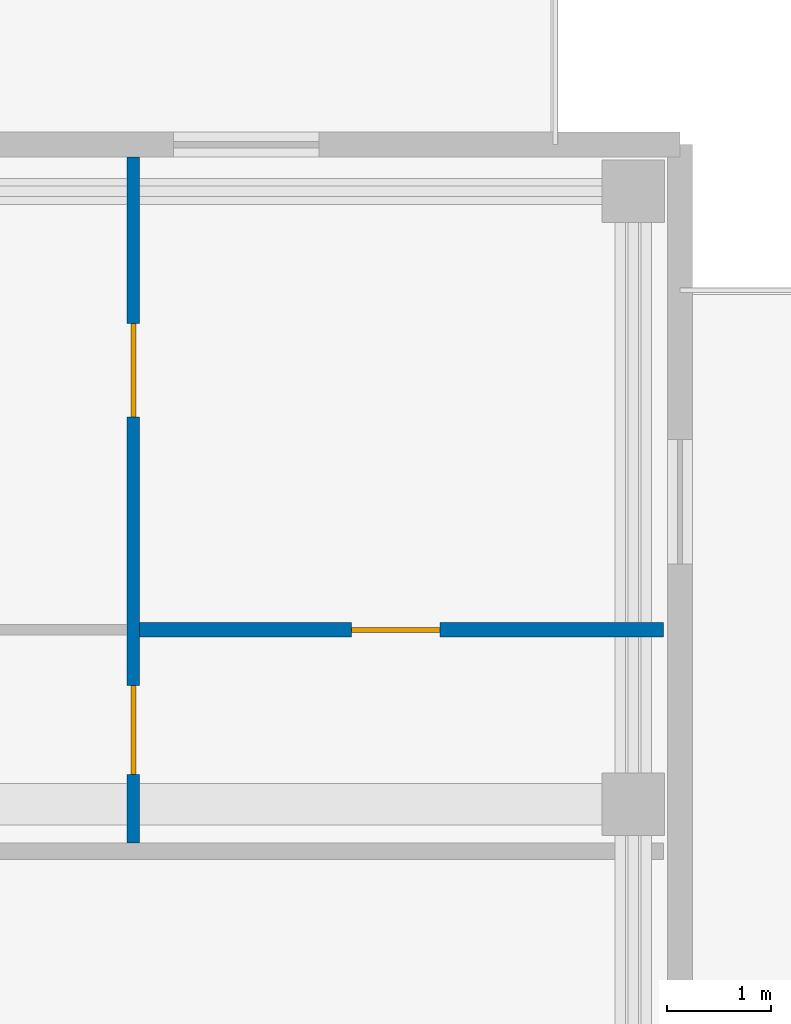
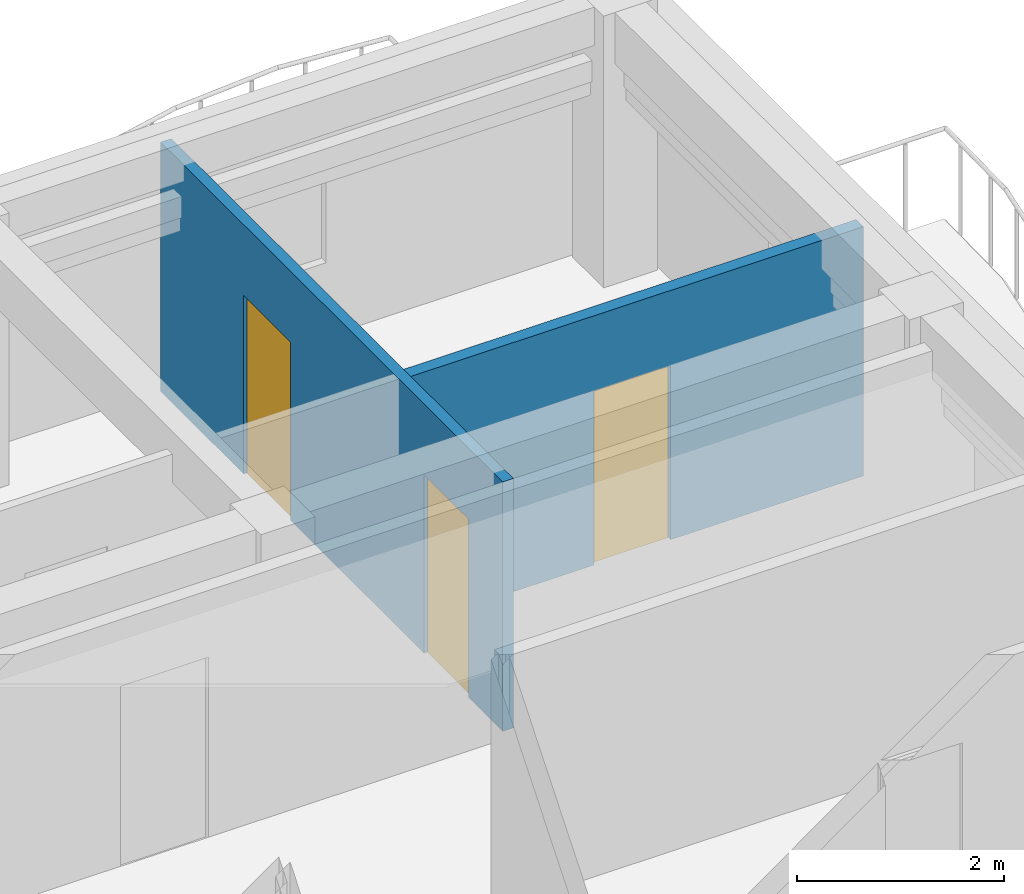
# One storey, part 46 of 71: 3 doors, 2 walls, 3 openings.
"""IFC4 building model written with IfcOpenShell, lengths in metres."""

from ifc_helpers import new_model, si_unit, direction, frame, frame_2d, origin, place, context, subcontext, project, spatial, rectangle, extrude, material, layer, layer_set, type_object, element, fill, save


model = new_model("IFC4")

# Units and contexts
model_context = context("Model", 3, precision=1e-05, world=origin(), true_north=direction((0.0, 1.0)))
body_context = subcontext(model_context, "Body", "Model", "MODEL_VIEW")
ifc_project = project(units=[si_unit("LENGTHUNIT", "METRE"), si_unit("AREAUNIT", "SQUARE_METRE"), si_unit("VOLUMEUNIT", "CUBIC_METRE"), si_unit("PLANEANGLEUNIT", "RADIAN"), si_unit("MASSUNIT", "GRAM", prefix="KILO")], contexts=[model_context])

# Site, building, storey
site_placement = place(None, origin())
site = spatial("IfcSite", under=ifc_project, at=site_placement, CompositionType="ELEMENT")
building_placement = place(site_placement, origin())
building = spatial("IfcBuilding", under=site, at=building_placement, Name="Keldmere Railside Commons", CompositionType="ELEMENT")
storey_placement = place(building_placement, frame((0.0, 0.0, 20.159912109375)))
storey = spatial("IfcBuildingStorey", under=building, at=storey_placement, Name="L06", CompositionType="ELEMENT", Elevation=20.159912109375)

# Wall, openings, doors
ifc_material_1 = material(Name="Acoustic Gypsum Board Partition", Category="gypsum")
ifc_layer_1 = layer(ifc_material_1, 0.1201171875, Name="Apartment Interior Partition 120")
ifc_layer_set_1 = layer_set([ifc_layer_1], Name="Acoustic Gypsum Board Partition")
wall_type_1 = type_object("IfcWallType", Name="Apartment Interior Partition 120", PredefinedType="PARTITIONING", material=ifc_layer_set_1)
wall_1_placement = place(storey_placement, frame((178.739990234375, 109.280029296875, 0.0), z_axis=(0.0, 0.0, 1.0), x_axis=(0.0, 1.0, 0.0)))
wall_1 = element("IfcWall", 1, at=wall_1_placement, inside=storey, type_object=wall_type_1, Name="IW-4 IW-L06-1668", PredefinedType="PARTITIONING", context=body_context, shape_type="SweptSolid", body=[
    extrude(rectangle(XDim=6.599853515625, YDim=0.1201171875, at=frame_2d((3.2998046875, 0.0))), origin(), (0.0, 0.0, 1.0), 2.93505859375),
])
opening_1_placement = place(wall_1_placement, frame((0.656005859375, 0.0, 0.0)))
opening_1 = element("IfcOpeningElement", 2, at=opening_1_placement, cuts=wall_1, Name="Opening ID-04", PredefinedType="OPENING", context=body_context, shape_type="SweptSolid", body=[
    extrude(rectangle(XDim=0.860107421875, YDim=2.10009765625, at=frame_2d((0.43017578125, 1.050048828125))), frame((0.0, 0.070068359375, 0.0), z_axis=(0.0, -1.0, 0.0), x_axis=(1.0, 0.0, 0.0)), (0.0, 0.0, 1.0), 0.14013671875),
])
opening_2_placement = place(wall_1_placement, frame((4.097412109375, 0.0, 0.0)))
opening_2 = element("IfcOpeningElement", 3, at=opening_2_placement, cuts=wall_1, Name="Opening ID-01", PredefinedType="OPENING", context=body_context, shape_type="SweptSolid", body=[
    extrude(rectangle(XDim=0.89990234375, YDim=2.10009765625, at=frame_2d((0.449951171875, 1.050048828125))), frame((0.0, 0.070068359375, 0.0), z_axis=(0.0, -1.0, 0.0), x_axis=(1.0, 0.0, 0.0)), (0.0, 0.0, 1.0), 0.14013671875),
])
ifc_material_2 = material(Name="Engineered Oak Timber", Category="wood")
door_type_1 = type_object("IfcDoorType", Name="Apartment Bathroom Door 860x2100", OperationType="NOTDEFINED", PredefinedType="DOOR", material=ifc_material_2)
door_1_placement = place(opening_1_placement, origin())
door_1 = element("IfcDoor", 4, at=door_1_placement, inside=storey, type_object=door_type_1, Name="ID-04 IDR-L06-1516", OperationType="SINGLE_SWING_RIGHT", OverallHeight=2.10009765625, OverallWidth=0.860107421875, PredefinedType="DOOR", context=body_context, shape_type="SweptSolid", body=[
    extrude(rectangle(XDim=0.860107421875, YDim=2.10009765625, at=frame_2d((0.43017578125, 1.050048828125))), frame((0.0, 0.02490234375, 0.0), z_axis=(0.0, -1.0, 0.0), x_axis=(1.0, 0.0, 0.0)), (0.0, 0.0, 1.0), 0.050048828125),
])
fill(opening_1, door_1)
door_type_2 = type_object("IfcDoorType", Name="Primary Bedroom Door 900x2100", OperationType="NOTDEFINED", PredefinedType="DOOR", material=ifc_material_2)
door_2_placement = place(opening_2_placement, origin())
door_2 = element("IfcDoor", 5, at=door_2_placement, inside=storey, type_object=door_type_2, Name="ID-01 IDR-L06-1517", OperationType="SINGLE_SWING_LEFT", OverallHeight=2.10009765625, OverallWidth=0.89990234375, PredefinedType="DOOR", context=body_context, shape_type="SweptSolid", body=[
    extrude(rectangle(XDim=0.89990234375, YDim=2.10009765625, at=frame_2d((0.449951171875, 1.050048828125))), frame((0.0, 0.02490234375, 0.0), z_axis=(0.0, -1.0, 0.0), x_axis=(1.0, 0.0, 0.0)), (0.0, 0.0, 1.0), 0.050048828125),
])
fill(opening_2, door_2)

# Wall, opening, door
ifc_layer_2 = layer(ifc_material_1, 0.139892578125, Name="Wet-Room Sanitary Partition 140")
ifc_layer_set_2 = layer_set([ifc_layer_2], Name="Acoustic Gypsum Board Partition")
wall_type_2 = type_object("IfcWallType", Name="Wet-Room Sanitary Partition 140", PredefinedType="PARTITIONING", material=ifc_layer_set_2)
wall_2_placement = place(storey_placement, frame((178.800048828125, 111.330078125, 0.0), z_axis=(0.0, 0.0, 1.0), x_axis=(1.0, 0.0, 0.0)))
wall_2 = element("IfcWall", 6, at=wall_2_placement, inside=storey, type_object=wall_type_2, Name="IW-5 IW-L06-1669", PredefinedType="PARTITIONING", context=body_context, shape_type="SweptSolid", body=[
    extrude(rectangle(XDim=5.0400390625, YDim=0.139892578125, at=frame_2d((2.52001953125, 0.0))), origin(), (0.0, 0.0, 1.0), 2.93505859375),
])
opening_3_placement = place(wall_2_placement, frame((2.0400390625, 0.0, 0.0)))
opening_3 = element("IfcOpeningElement", 7, at=opening_3_placement, cuts=wall_2, Name="Opening ID-06", PredefinedType="OPENING", context=body_context, shape_type="SweptSolid", body=[
    extrude(rectangle(XDim=0.85009765625, YDim=2.050048828125, at=frame_2d((0.425048828125, 1.02490234375))), frame((0.0, 0.079833984375, 0.0), z_axis=(0.0, -1.0, 0.0), x_axis=(1.0, 0.0, 0.0)), (0.0, 0.0, 1.0), 0.159912109375),
])
door_type_3 = type_object("IfcDoorType", Name="Storage Closet Door 850x2050", OperationType="NOTDEFINED", PredefinedType="DOOR", material=ifc_material_2)
door_3_placement = place(opening_3_placement, origin())
door_3 = element("IfcDoor", 8, at=door_3_placement, inside=storey, type_object=door_type_3, Name="ID-06 IDR-L06-1518", OperationType="SINGLE_SWING_RIGHT", OverallHeight=2.050048828125, OverallWidth=0.85009765625, PredefinedType="DOOR", context=body_context, shape_type="SweptSolid", body=[
    extrude(rectangle(XDim=0.85009765625, YDim=2.050048828125, at=frame_2d((0.425048828125, 1.02490234375))), frame((0.0, 0.02490234375, 0.0), z_axis=(0.0, -1.0, 0.0), x_axis=(1.0, 0.0, 0.0)), (0.0, 0.0, 1.0), 0.050048828125),
])
fill(opening_3, door_3)

save(model, "model.ifc")
